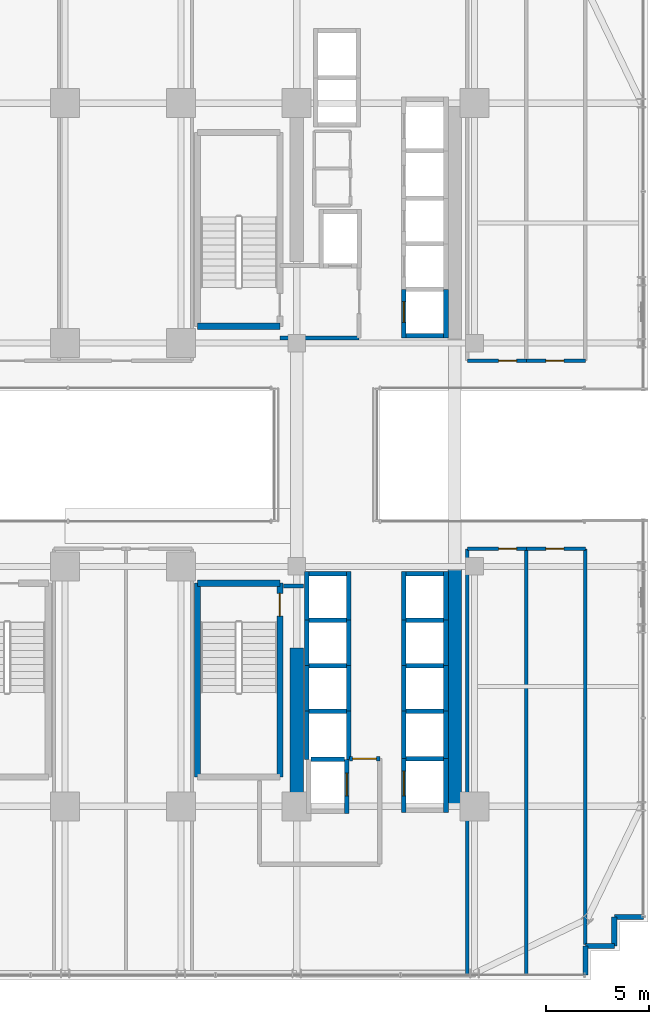
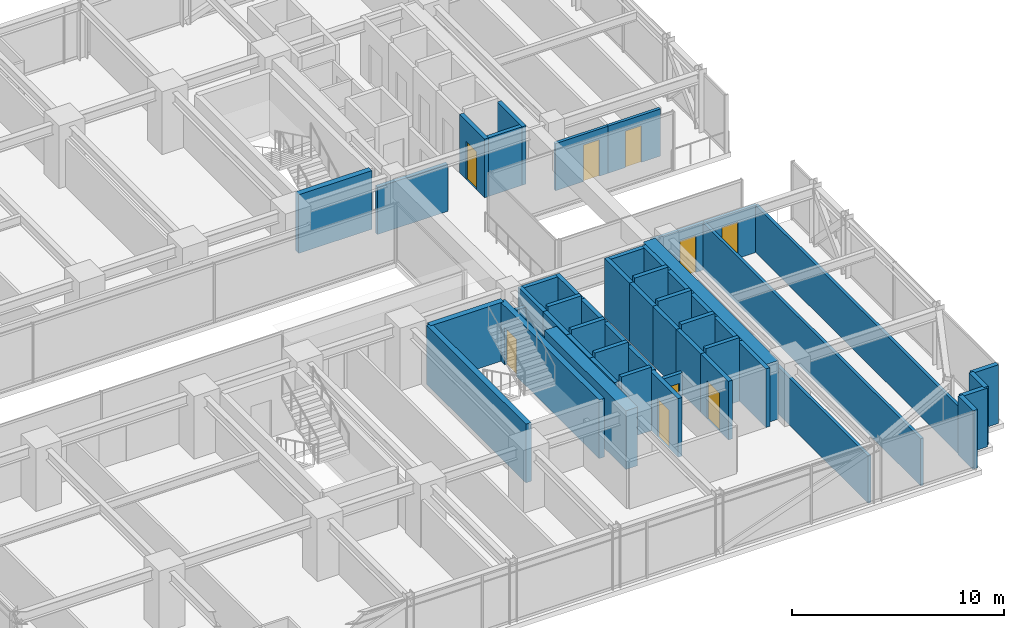
# One storey, part 36 of 42: 52 walls, 9 doors, 9 openings.
"""IFC4 building model written with IfcOpenShell, lengths in metres."""

import ifcopenshell
import ifcopenshell.guid

model = None  # the IFC model being written
_history = None  # IfcOwnerHistory: only IFC2X3 demands one
_inside = {}  # id of a spatial element -> (the spatial element, [elements in it])
_under = {}  # id of a project, library or spatial element -> (it, [spatial elements below it])
_declared = {}  # id of a project -> (the project, [libraries it declares])
_typed = {}  # id of a type object -> (the type object, [elements of that type])
_made_of = {}  # id of a material, layer set ... -> (it, [elements and type objects made of it])


def new_model(schema):
    """Start an empty IFC model of exactly this schema.

    Asked for "IFC4X3", IfcOpenShell would pick the latest addendum, in which some entities
    have other attributes; the version numbers below select the first issue.
    IFC2X3 requires an IfcOwnerHistory on every rooted entity: one is made here for all.
    """
    global model, _history
    if schema == "IFC4X3":
        model = ifcopenshell.file(schema_version=(4, 3, 0, 0))
    else:
        model = ifcopenshell.file(schema=schema)
    _inside.clear()
    _under.clear()
    _declared.clear()
    _typed.clear()
    _made_of.clear()
    _history = None
    if model.schema == "IFC2X3":
        org = make("IfcOrganization", Name="unknown")
        user = make(
            "IfcPersonAndOrganization",
            ThePerson=make("IfcPerson", FamilyName="unknown"),
            TheOrganization=org,
        )
        app = make(
            "IfcApplication",
            ApplicationDeveloper=org,
            Version="unknown",
            ApplicationFullName="unknown",
            ApplicationIdentifier="unknown",
        )
        _history = make(
            "IfcOwnerHistory",
            OwningUser=user,
            OwningApplication=app,
            ChangeAction="ADDED",
            CreationDate=0,
        )
    return model


def make(cls, **values):
    """One entity of the class cls with the attributes given. An attribute that is None is left unset."""
    return model.create_entity(
        cls, **{name: value for name, value in values.items() if value is not None}
    )


def rooted(cls, **values):
    """An entity with a GlobalId (a new one), such as an element, a storey or a relation."""
    return make(cls, GlobalId=ifcopenshell.guid.new(), OwnerHistory=_history, **values)


def si_unit(unit_type, name, prefix=None):
    """IfcSIUnit, for example si_unit("LENGTHUNIT", "METRE", prefix="MILLI")."""
    return make("IfcSIUnit", UnitType=unit_type, Prefix=prefix, Name=name)


def assignment(units):
    """IfcUnitAssignment: the units of a project."""
    return None if units is None else make("IfcUnitAssignment", Units=units)


def point(xyz):
    """IfcCartesianPoint."""
    return None if xyz is None else make("IfcCartesianPoint", Coordinates=xyz)


def direction(xyz):
    """IfcDirection."""
    return None if xyz is None else make("IfcDirection", DirectionRatios=xyz)


def frame(location, z_axis=None, x_axis=None):
    """IfcAxis2Placement3D, a coordinate frame: its origin and axes. An axis left out is left unset."""
    return make(
        "IfcAxis2Placement3D",
        Location=point(location),
        Axis=direction(z_axis),
        RefDirection=direction(x_axis),
    )


def frame_2d(location, x_axis=None):
    """IfcAxis2Placement2D, a coordinate frame in the plane: its origin and x axis."""
    return make(
        "IfcAxis2Placement2D", Location=point(location), RefDirection=direction(x_axis)
    )


def origin():
    """The frame at (0, 0, 0) with its axes left unset."""
    return frame((0.0, 0.0, 0.0))


def place(relative_to, where):
    """IfcLocalPlacement: puts the frame where relative to a parent placement (None: the world)."""
    return make(
        "IfcLocalPlacement", PlacementRelTo=relative_to, RelativePlacement=where
    )


def context(
    kind, dimensions, precision=None, world=None, true_north=None, identifier=None
):
    """IfcGeometricRepresentationContext, for example the 3D "Model" context."""
    return make(
        "IfcGeometricRepresentationContext",
        ContextIdentifier=identifier,
        ContextType=kind,
        CoordinateSpaceDimension=dimensions,
        Precision=precision,
        WorldCoordinateSystem=world,
        TrueNorth=true_north,
    )


def subcontext(parent, identifier, kind, view, scale=None):
    """IfcGeometricRepresentationSubContext, for example "Body" below "Model"."""
    return make(
        "IfcGeometricRepresentationSubContext",
        ContextIdentifier=identifier,
        ContextType=kind,
        ParentContext=parent,
        TargetScale=scale,
        TargetView=view,
    )


def project(units=None, contexts=None):
    """IfcProject with its units and contexts."""
    return rooted(
        "IfcProject",
        Name="project",
        RepresentationContexts=contexts,
        UnitsInContext=assignment(units),
    )


def spatial(cls, under=None, at=None, **own):
    """A site, building, storey or space (cls), placed at a placement, below another one or the project."""
    s = rooted(cls, ObjectPlacement=at, **own)
    if under is not None:
        _under.setdefault(under.id(), (under, []))[1].append(s)
    return s


def profile(cls, at=None, kind="AREA", **sizes):
    """A parametric profile (cls). Its sizes go by their IFC names, for example OverallWidth=200.0."""
    return make(cls, ProfileType=kind, Position=at, **sizes)


def rectangle(**sizes):
    """IfcRectangleProfileDef."""
    return profile("IfcRectangleProfileDef", **sizes)


def extrude(swept, where, along, depth):
    """IfcExtrudedAreaSolid: the profile swept, set in the frame where, extruded along a direction by depth."""
    return make(
        "IfcExtrudedAreaSolid",
        SweptArea=swept,
        Position=where,
        ExtrudedDirection=direction(along),
        Depth=depth,
    )


def shape(context_of_items, identifier, shape_type, items):
    """IfcShapeRepresentation: the items that make up one representation, for example the "Body"."""
    return make(
        "IfcShapeRepresentation",
        ContextOfItems=context_of_items,
        RepresentationIdentifier=identifier,
        RepresentationType=shape_type,
        Items=items,
    )


def source(mapping_origin, context_of_items, identifier, shape_type, items):
    """IfcRepresentationMap: a shape defined once, which mapped items show again and again."""
    return make(
        "IfcRepresentationMap",
        MappingOrigin=mapping_origin,
        MappedRepresentation=shape(context_of_items, identifier, shape_type, items),
    )


def transform(
    local_origin,
    x_axis=None,
    y_axis=None,
    z_axis=None,
    scale=None,
    scale2=None,
    scale3=None,
    uniform=True,
):
    """IfcCartesianTransformationOperator3D, or its non-uniform kind. x_axis, y_axis, z_axis: its Axis1, 2, 3."""
    if uniform:
        return make(
            "IfcCartesianTransformationOperator3D",
            Axis1=direction(x_axis),
            Axis2=direction(y_axis),
            LocalOrigin=point(local_origin),
            Scale=scale,
            Axis3=direction(z_axis),
        )
    return make(
        "IfcCartesianTransformationOperator3DnonUniform",
        Axis1=direction(x_axis),
        Axis2=direction(y_axis),
        LocalOrigin=point(local_origin),
        Scale=scale,
        Axis3=direction(z_axis),
        Scale2=scale2,
        Scale3=scale3,
    )


def mapped(mapping_source, mapping_target):
    """IfcMappedItem: shows the shape of a source again, moved by a transform."""
    return make(
        "IfcMappedItem", MappingSource=mapping_source, MappingTarget=mapping_target
    )


def material(Name=None, Category=None):
    """IfcMaterial."""
    return make("IfcMaterial", Name=Name, Category=Category)


def layer(
    of_material, thickness, ventilated=None, Name=None, Category=None, Priority=None
):
    """IfcMaterialLayer: one layer of a wall or slab, of a material (None: an air gap)."""
    return make(
        "IfcMaterialLayer",
        Material=of_material,
        LayerThickness=thickness,
        IsVentilated=ventilated,
        Name=Name,
        Category=Category,
        Priority=Priority,
    )


def layer_set(layers, Name=None):
    """IfcMaterialLayerSet."""
    return make("IfcMaterialLayerSet", MaterialLayers=layers, LayerSetName=Name)


def made_of(thing, what):
    """Note that an element or type object is made of a material, layer set ...; save() writes the relation."""
    if what is not None:
        _made_of.setdefault(what.id(), (what, []))[1].append(thing)
    return thing


def type_object(cls, material=None, **own):
    """A type object (cls), such as IfcWallType, which elements share."""
    return made_of(rooted(cls, **own), material)


def element(
    cls,
    number,
    at=None,
    inside=None,
    cuts=None,
    type_object=None,
    material=None,
    context=None,
    identifier="Body",
    shape_type=None,
    held_by="IfcProductDefinitionShape",
    body=None,
    shapes=None,
    **own,
):
    """One element of the class cls, such as IfcWall. Its Tag is "e" and its number.

    at: its placement. inside: the storey or other place that contains it. cuts: it is an
    opening in that element (IfcRelVoidsElement). A single representation is given by context,
    identifier, shape_type and body (its items); several are given by shapes. held_by: the class
    of the entity that holds the representations. save() writes the other relations.
    """
    e = rooted(cls, Tag="e%d" % number, ObjectPlacement=at, **own)
    if body is not None:
        shapes = [shape(context, identifier, shape_type, body)]
    if shapes is not None:
        e.Representation = make(held_by, Representations=shapes)
    if inside is not None:
        _inside.setdefault(inside.id(), (inside, []))[1].append(e)
    if cuts is not None:
        rooted(
            "IfcRelVoidsElement", RelatingBuildingElement=cuts, RelatedOpeningElement=e
        )
    if type_object is not None:
        _typed.setdefault(type_object.id(), (type_object, []))[1].append(e)
    return made_of(e, material)


def fill(opening, filler):
    """IfcRelFillsElement: the door or window that sits in an opening."""
    return rooted(
        "IfcRelFillsElement",
        RelatingOpeningElement=opening,
        RelatedBuildingElement=filler,
    )


def aggregate(whole, parts):
    """IfcRelAggregates: a whole, such as a stair, and the parts it consists of."""
    return rooted("IfcRelAggregates", RelatingObject=whole, RelatedObjects=parts)


def save(model, path):
    """Write the relations noted so far, then the file.

    IfcRelAggregates (storeys below a building ...), IfcRelContainedInSpatialStructure (elements
    in a storey), IfcRelDefinesByType, IfcRelAssociatesMaterial and IfcRelDeclares: one each for
    every whole, place, type object, material and project.
    """
    for whole, parts in _under.values():
        aggregate(whole, parts)
    for where, things in _inside.values():
        rooted(
            "IfcRelContainedInSpatialStructure",
            RelatedElements=things,
            RelatingStructure=where,
        )
    for kind, things in _typed.values():
        rooted("IfcRelDefinesByType", RelatedObjects=things, RelatingType=kind)
    for what, things in _made_of.values():
        rooted("IfcRelAssociatesMaterial", RelatedObjects=things, RelatingMaterial=what)
    for by, libraries in _declared.values():
        rooted("IfcRelDeclares", RelatingContext=by, RelatedDefinitions=libraries)
    model.write(path)


model = new_model("IFC4")

# Units and contexts
model_context = context("Model", 3, precision=1e-05, world=origin(), true_north=direction((0.0, 1.0)))
body_context = subcontext(model_context, "Body", "Model", "MODEL_VIEW")
ifc_project = project(units=[si_unit("LENGTHUNIT", "METRE"), si_unit("AREAUNIT", "SQUARE_METRE"), si_unit("VOLUMEUNIT", "CUBIC_METRE"), si_unit("PLANEANGLEUNIT", "RADIAN"), si_unit("MASSUNIT", "GRAM", prefix="KILO")], contexts=[model_context])

# Site, building, storey
site_placement = place(None, origin())
site = spatial("IfcSite", under=ifc_project, at=site_placement, CompositionType="ELEMENT")
building_placement = place(site_placement, origin())
building = spatial("IfcBuilding", under=site, at=building_placement, Name="Nahalor Promenade Grand Hotel", CompositionType="ELEMENT")
storey_placement = place(building_placement, frame((0.0, 0.0, 61.60009765625)))
storey = spatial("IfcBuildingStorey", under=building, at=storey_placement, Name="L14", CompositionType="ELEMENT", Elevation=61.60009765625)

# Walls
ifc_material_1 = material(Name="Concrete B-60 (C50/60)", Category="concrete")
ifc_layer_1 = layer(ifc_material_1, 0.64990234375)
ifc_layer_set_1 = layer_set([ifc_layer_1], Name="Concrete B-60 (C50/60)")
wall_type_1 = type_object("IfcWallType", Name="Wall-CoreShear-650", PredefinedType="SHEAR", material=ifc_layer_set_1)
shared_shape_1 = source(origin(), body_context, "Body", "SweptSolid", [
    extrude(rectangle(XDim=7.64990234375, YDim=0.64990234375, at=frame_2d((3.824951171875, 0.0))), origin(), (0.0, 0.0, 1.0), 3.369873046875),
])
wall_1_placement = place(storey_placement, frame((8.39990234375, -17.0, 0.0), z_axis=(0.0, 0.0, 1.0), x_axis=(0.0, 1.0, 0.0)))
element("IfcWall", 1, at=wall_1_placement, inside=storey, type_object=wall_type_1, Name="CWALL-L14-SW", PredefinedType="SHEAR", context=body_context, shape_type="MappedRepresentation", body=[
    mapped(shared_shape_1, transform((0.0, 0.0, 0.0), scale=1.0)),
])
shared_shape_2 = source(origin(), body_context, "Body", "SweptSolid", [
    extrude(rectangle(XDim=11.60009765625, YDim=0.64990234375, at=frame_2d((5.800048828125, 0.0))), origin(), (0.0, 0.0, 1.0), 3.369873046875),
])
wall_2_placement = place(storey_placement, frame((16.050048828125, -17.0, 0.0), z_axis=(0.0, 0.0, 1.0), x_axis=(0.0, 1.0, 0.0)))
element("IfcWall", 2, at=wall_2_placement, inside=storey, type_object=wall_type_1, Name="CWALL-L14-SE", PredefinedType="SHEAR", context=body_context, shape_type="MappedRepresentation", body=[
    mapped(shared_shape_2, transform((0.0, 0.0, 0.0), scale=1.0)),
])
ifc_material_2 = material(Name="Concrete B-50 (C40/50)", Category="concrete")
ifc_layer_2 = layer(ifc_material_2, 0.300048828125)
ifc_layer_set_2 = layer_set([ifc_layer_2], Name="Concrete B-50 (C40/50)")
wall_type_2 = type_object("IfcWallType", Name="Wall-ShaftShear-300", PredefinedType="SHEAR", material=ifc_layer_set_2)
shared_shape_3 = source(origin(), body_context, "Body", "SweptSolid", [
    extrude(rectangle(XDim=3.97998046875, YDim=0.300048828125, at=frame_2d((1.989990234375, 0.0))), origin(), (0.0, 0.0, 1.0), 3.369873046875),
])
for number, where, z_axis, x_axis, name in (
    (3, (3.610107421875, 6.2099609375, 0.0), (0.0, 0.0, 1.0), (1.0, 0.0, 0.0), "L14 Exit Stair ST1 Shaft Wall S"),
    (4, (3.610107421875, -6.2099609375, 0.0), (0.0, 0.0, 1.0), (1.0, 0.0, 0.0), "L14 Exit Stair ST2 Shaft Wall N"),
):
    element("IfcWall", number, at=place(storey_placement, frame(where, z_axis=z_axis, x_axis=x_axis)), inside=storey, type_object=wall_type_2, Name=name, PredefinedType="SHEAR", context=body_context, shape_type="MappedRepresentation", body=[
        mapped(shared_shape_3, transform((0.0, 0.0, 0.0), scale=1.0)),
    ])
shared_shape_4 = source(origin(), body_context, "Body", "SweptSolid", [
    extrude(rectangle(XDim=9.380126953125, YDim=0.300048828125, at=frame_2d((4.68994140625, 0.0))), origin(), (0.0, 0.0, 1.0), 3.369873046875),
])
wall_3_placement = place(storey_placement, frame((3.610107421875, -15.590087890625, 0.0), z_axis=(0.0, 0.0, 1.0), x_axis=(0.0, 1.0, 0.0)))
element("IfcWall", 5, at=wall_3_placement, inside=storey, type_object=wall_type_2, Name="L14 Exit Stair ST2 Shaft Wall W", PredefinedType="SHEAR", context=body_context, shape_type="MappedRepresentation", body=[
    mapped(shared_shape_4, transform((0.0, 0.0, 0.0), scale=1.0)),
])

# Wall, opening, door
wall_4_placement = place(storey_placement, frame((7.590087890625, -15.590087890625, 0.0), z_axis=(0.0, 0.0, 1.0), x_axis=(0.0, 1.0, 0.0)))
wall_4 = element("IfcWall", 6, at=wall_4_placement, inside=storey, type_object=wall_type_2, Name="L14 Exit Stair ST2 Shaft Wall E", PredefinedType="SHEAR", context=body_context, shape_type="MappedRepresentation", body=[
    mapped(shared_shape_4, transform((0.0, 0.0, 0.0), scale=1.0)),
])
opening_1_placement = place(wall_4_placement, frame((7.7900390625, 0.0, 0.0)))
opening_1 = element("IfcOpeningElement", 7, at=opening_1_placement, cuts=wall_4, Name="Opening D-ST1", PredefinedType="OPENING", context=body_context, shape_type="SweptSolid", body=[
    extrude(rectangle(XDim=1.10009765625, YDim=2.14990234375, at=frame_2d((0.550048828125, 1.074951171875))), frame((0.0, 0.159912109375, 0.0), z_axis=(0.0, -1.0, 0.0), x_axis=(1.0, 0.0, 0.0)), (0.0, 0.0, 1.0), 0.320068359375),
])
ifc_material_3 = material(Name="Steel S355JR", Category="steel")
door_type_1 = type_object("IfcDoorType", Name="Door-StairFire-1100", OperationType="NOTDEFINED", PredefinedType="DOOR", material=ifc_material_3)
shared_shape_5 = source(origin(), body_context, "Body", "SweptSolid", [
    extrude(rectangle(XDim=1.10009765625, YDim=2.14990234375, at=frame_2d((0.550048828125, 1.074951171875))), frame((0.0, 0.02490234375, 0.0), z_axis=(0.0, -1.0, 0.0), x_axis=(1.0, 0.0, 0.0)), (0.0, 0.0, 1.0), 0.050048828125),
])
door_1_placement = place(opening_1_placement, origin())
door_1 = element("IfcDoor", 8, at=door_1_placement, inside=storey, type_object=door_type_1, Name="DR-STAIR-ST2-L14", OperationType="SINGLE_SWING_LEFT", OverallHeight=2.14990234375, OverallWidth=1.10009765625, PredefinedType="DOOR", context=body_context, shape_type="MappedRepresentation", body=[
    mapped(shared_shape_5, transform((0.0, 0.0, 0.0), scale=1.0)),
])
fill(opening_1, door_1)

ifc_layer_3 = layer(ifc_material_2, 0.219970703125)
ifc_layer_set_3 = layer_set([ifc_layer_3], Name="Concrete B-50 (C40/50)")
wall_type_3 = type_object("IfcWallType", Name="Wall-LiftShaft-220", PredefinedType="SHEAR", material=ifc_layer_set_3)
shared_shape_6 = source(origin(), body_context, "Body", "SweptSolid", [
    extrude(rectangle(XDim=2.360107421875, YDim=0.219970703125, at=frame_2d((1.18017578125, 0.0))), origin(), (0.0, 0.0, 1.0), 3.369873046875),
])
wall_5_placement = place(storey_placement, frame((13.580078125, 5.639892578125, 0.0), z_axis=(0.0, 0.0, 1.0), x_axis=(0.0, 1.0, 0.0)))
wall_5 = element("IfcWall", 9, at=wall_5_placement, inside=storey, type_object=wall_type_3, Name="L14 Lift PL1 Hoistway Wall W", PredefinedType="SHEAR", context=body_context, shape_type="MappedRepresentation", body=[
    mapped(shared_shape_6, transform((0.0, 0.0, 0.0), scale=1.0)),
])
opening_2_placement = place(wall_5_placement, frame((0.760009765625, 0.0, 0.0)))
opening_2 = element("IfcOpeningElement", 10, at=opening_2_placement, cuts=wall_5, Name="Opening LD-01", PredefinedType="OPENING", context=body_context, shape_type="SweptSolid", body=[
    extrude(rectangle(XDim=1.0, YDim=2.199951171875, at=frame_2d((0.5, 1.10009765625))), frame((0.0, 0.119873046875, 0.0), z_axis=(0.0, -1.0, 0.0), x_axis=(1.0, 0.0, 0.0)), (0.0, 0.0, 1.0), 0.239990234375),
])
door_type_2 = type_object("IfcDoorType", Name="Door-LiftLanding-1000", OperationType="DOUBLE_DOOR_SLIDING", PredefinedType="DOOR", material=ifc_material_3)
shared_shape_7 = source(origin(), body_context, "Body", "SweptSolid", [
    extrude(rectangle(XDim=1.0, YDim=2.199951171875, at=frame_2d((0.5, 1.10009765625))), frame((0.0, 0.02490234375, 0.0), z_axis=(0.0, -1.0, 0.0), x_axis=(1.0, 0.0, 0.0)), (0.0, 0.0, 1.0), 0.050048828125),
])
door_2_placement = place(opening_2_placement, origin())
door_2 = element("IfcDoor", 11, at=door_2_placement, inside=storey, type_object=door_type_2, Name="DR-LIFT-PL1-L14", OperationType="DOUBLE_DOOR_SLIDING", OverallHeight=2.199951171875, OverallWidth=1.0, PredefinedType="DOOR", context=body_context, shape_type="MappedRepresentation", body=[
    mapped(shared_shape_7, transform((0.0, 0.0, 0.0), scale=1.0)),
])
fill(opening_2, door_2)

# Walls
for number, where, z_axis, x_axis, name in (
    (12, (15.6201171875, 5.639892578125, 0.0), (0.0, 0.0, 1.0), (0.0, 1.0, 0.0), "L14 Lift PL1 Hoistway Wall E"),
    (13, (13.580078125, -8.0, 0.0), (0.0, 0.0, 1.0), (0.0, 1.0, 0.0), "L14 Lift PL5 Hoistway Wall W"),
    (14, (15.6201171875, -8.0, 0.0), (0.0, 0.0, 1.0), (0.0, 1.0, 0.0), "L14 Lift PL5 Hoistway Wall E"),
    (15, (8.8798828125, -8.0, 0.0), (0.0, 0.0, 1.0), (0.0, 1.0, 0.0), "L14 Lift PL9 Hoistway Wall W"),
    (16, (10.919921875, -8.0, 0.0), (0.0, 0.0, 1.0), (0.0, 1.0, 0.0), "L14 Lift PL9 Hoistway Wall E"),
):
    element("IfcWall", number, at=place(storey_placement, frame(where, z_axis=z_axis, x_axis=x_axis)), inside=storey, type_object=wall_type_3, Name=name, PredefinedType="SHEAR", context=body_context, shape_type="MappedRepresentation", body=[
        mapped(shared_shape_6, transform((0.0, 0.0, 0.0), scale=1.0)),
    ])
shared_shape_8 = source(origin(), body_context, "Body", "SweptSolid", [
    extrude(rectangle(XDim=1.820068359375, YDim=0.219970703125, at=frame_2d((0.91015625, 0.0))), origin(), (0.0, 0.0, 1.0), 3.369873046875),
])
for number, where, z_axis, x_axis, name in (
    (17, (13.68994140625, 5.75, 0.0), (0.0, 0.0, 1.0), (1.0, 0.0, 0.0), "L14 Lift PL1 Hoistway Wall S"),
    (18, (13.68994140625, -5.75, 0.0), (0.0, 0.0, 1.0), (1.0, 0.0, 0.0), "L14 Lift PL5 Hoistway Wall N"),
    (19, (8.989990234375, -5.75, 0.0), (0.0, 0.0, 1.0), (1.0, 0.0, 0.0), "L14 Lift PL9 Hoistway Wall N"),
):
    element("IfcWall", number, at=place(storey_placement, frame(where, z_axis=z_axis, x_axis=x_axis)), inside=storey, type_object=wall_type_3, Name=name, PredefinedType="SHEAR", context=body_context, shape_type="MappedRepresentation", body=[
        mapped(shared_shape_8, transform((0.0, 0.0, 0.0), scale=1.0)),
    ])
shared_shape_9 = source(origin(), body_context, "Body", "SweptSolid", [
    extrude(rectangle(XDim=1.820068359375, YDim=0.219970703125, at=frame_2d((0.91015625, 0.0))), origin(), (0.0, 0.0, 1.0), 3.64990234375),
])
for number, where, z_axis, x_axis, name in (
    (20, (13.68994140625, -8.0, 0.0), (0.0, 0.0, 1.0), (1.0, 0.0, 0.0), "L14 Lift PL6 Hoistway Wall N"),
    (21, (13.68994140625, -10.199951171875, 0.0), (0.0, 0.0, 1.0), (1.0, 0.0, 0.0), "L14 Lift PL7 Hoistway Wall N"),
    (22, (13.68994140625, -12.39990234375, 0.0), (0.0, 0.0, 1.0), (1.0, 0.0, 0.0), "L14 Lift PL8 Hoistway Wall N"),
    (23, (8.989990234375, -8.0, 0.0), (0.0, 0.0, 1.0), (1.0, 0.0, 0.0), "L14 Lift PL10 Hoistway Wall N"),
    (24, (8.989990234375, -10.199951171875, 0.0), (0.0, 0.0, 1.0), (1.0, 0.0, 0.0), "L14 Lift PL11 Hoistway Wall N"),
    (25, (8.989990234375, -12.39990234375, 0.0), (0.0, 0.0, 1.0), (1.0, 0.0, 0.0), "L14 Lift PL12 Hoistway Wall N"),
    (26, (13.68994140625, -14.699951171875, 0.0), (0.0, 0.0, 1.0), (1.0, 0.0, 0.0), "L14 Lift SV2 Hoistway Wall N"),
):
    element("IfcWall", number, at=place(storey_placement, frame(where, z_axis=z_axis, x_axis=x_axis)), inside=storey, type_object=wall_type_3, Name=name, PredefinedType="SHEAR", context=body_context, shape_type="MappedRepresentation", body=[
        mapped(shared_shape_9, transform((0.0, 0.0, 0.0), scale=1.0)),
    ])
shared_shape_10 = source(origin(), body_context, "Body", "SweptSolid", [
    extrude(rectangle(XDim=2.199951171875, YDim=0.219970703125, at=frame_2d((1.10009765625, 0.0))), origin(), (0.0, 0.0, 1.0), 3.369873046875),
])
for number, where, z_axis, x_axis, name in (
    (27, (13.580078125, -10.199951171875, 0.0), (0.0, 0.0, 1.0), (0.0, 1.0, 0.0), "L14 Lift PL6 Hoistway Wall W"),
    (28, (15.6201171875, -10.199951171875, 0.0), (0.0, 0.0, 1.0), (0.0, 1.0, 0.0), "L14 Lift PL6 Hoistway Wall E"),
    (29, (13.580078125, -12.39990234375, 0.0), (0.0, 0.0, 1.0), (0.0, 1.0, 0.0), "L14 Lift PL7 Hoistway Wall W"),
    (30, (15.6201171875, -12.39990234375, 0.0), (0.0, 0.0, 1.0), (0.0, 1.0, 0.0), "L14 Lift PL7 Hoistway Wall E"),
    (31, (8.8798828125, -10.199951171875, 0.0), (0.0, 0.0, 1.0), (0.0, 1.0, 0.0), "L14 Lift PL10 Hoistway Wall W"),
    (32, (10.919921875, -10.199951171875, 0.0), (0.0, 0.0, 1.0), (0.0, 1.0, 0.0), "L14 Lift PL10 Hoistway Wall E"),
    (33, (8.8798828125, -12.39990234375, 0.0), (0.0, 0.0, 1.0), (0.0, 1.0, 0.0), "L14 Lift PL11 Hoistway Wall W"),
    (34, (10.919921875, -12.39990234375, 0.0), (0.0, 0.0, 1.0), (0.0, 1.0, 0.0), "L14 Lift PL11 Hoistway Wall E"),
):
    element("IfcWall", number, at=place(storey_placement, frame(where, z_axis=z_axis, x_axis=x_axis)), inside=storey, type_object=wall_type_3, Name=name, PredefinedType="SHEAR", context=body_context, shape_type="MappedRepresentation", body=[
        mapped(shared_shape_10, transform((0.0, 0.0, 0.0), scale=1.0)),
    ])
shared_shape_11 = source(origin(), body_context, "Body", "SweptSolid", [
    extrude(rectangle(XDim=2.300048828125, YDim=0.219970703125, at=frame_2d((1.14990234375, 0.0))), origin(), (0.0, 0.0, 1.0), 3.369873046875),
])
for number, where, z_axis, x_axis, name in (
    (35, (13.580078125, -14.699951171875, 0.0), (0.0, 0.0, 1.0), (0.0, 1.0, 0.0), "L14 Lift PL8 Hoistway Wall W"),
    (36, (15.6201171875, -14.699951171875, 0.0), (0.0, 0.0, 1.0), (0.0, 1.0, 0.0), "L14 Lift PL8 Hoistway Wall E"),
):
    element("IfcWall", number, at=place(storey_placement, frame(where, z_axis=z_axis, x_axis=x_axis)), inside=storey, type_object=wall_type_3, Name=name, PredefinedType="SHEAR", context=body_context, shape_type="MappedRepresentation", body=[
        mapped(shared_shape_11, transform((0.0, 0.0, 0.0), scale=1.0)),
    ])
shared_shape_12 = source(origin(), body_context, "Body", "SweptSolid", [
    extrude(rectangle(XDim=2.3251953125, YDim=0.219970703125, at=frame_2d((1.16259765625, 0.0))), origin(), (0.0, 0.0, 1.0), 3.369873046875),
])
for number, where, z_axis, x_axis, name in (
    (37, (8.8798828125, -14.72509765625, 0.0), (0.0, 0.0, 1.0), (0.0, 1.0, 0.0), "L14 Lift PL12 Hoistway Wall W"),
    (38, (10.919921875, -14.72509765625, 0.0), (0.0, 0.0, 1.0), (0.0, 1.0, 0.0), "L14 Lift PL12 Hoistway Wall E"),
):
    element("IfcWall", number, at=place(storey_placement, frame(where, z_axis=z_axis, x_axis=x_axis)), inside=storey, type_object=wall_type_3, Name=name, PredefinedType="SHEAR", context=body_context, shape_type="MappedRepresentation", body=[
        mapped(shared_shape_12, transform((0.0, 0.0, 0.0), scale=1.0)),
    ])

# Wall, opening, door
shared_shape_13 = source(origin(), body_context, "Body", "SweptSolid", [
    extrude(rectangle(XDim=2.635009765625, YDim=0.219970703125, at=frame_2d((1.3173828125, 0.0))), origin(), (0.0, 0.0, 1.0), 3.369873046875),
])
wall_6_placement = place(storey_placement, frame((10.820068359375, -17.360107421875, 0.0), z_axis=(0.0, 0.0, 1.0), x_axis=(0.0, 1.0, 0.0)))
wall_6 = element("IfcWall", 39, at=wall_6_placement, inside=storey, type_object=wall_type_3, Name="L14 Lift FL2 Hoistway Wall E", PredefinedType="SHEAR", context=body_context, shape_type="MappedRepresentation", body=[
    mapped(shared_shape_13, transform((0.0, 0.0, 0.0), scale=1.0)),
])
opening_3_placement = place(wall_6_placement, frame((0.860107421875, 0.0, 0.0)))
opening_3 = element("IfcOpeningElement", 40, at=opening_3_placement, cuts=wall_6, Name="Opening LD-02", PredefinedType="OPENING", context=body_context, shape_type="SweptSolid", body=[
    extrude(rectangle(XDim=1.10009765625, YDim=2.199951171875, at=frame_2d((0.550048828125, 1.10009765625))), frame((0.0, 0.119873046875, 0.0), z_axis=(0.0, -1.0, 0.0), x_axis=(1.0, 0.0, 0.0)), (0.0, 0.0, 1.0), 0.239990234375),
])
door_type_3 = type_object("IfcDoorType", Name="Door-LiftFF-1100", OperationType="DOUBLE_DOOR_SLIDING", PredefinedType="DOOR", material=ifc_material_3)
shared_shape_14 = source(origin(), body_context, "Body", "SweptSolid", [
    extrude(rectangle(XDim=1.10009765625, YDim=2.199951171875, at=frame_2d((0.550048828125, 1.10009765625))), frame((0.0, 0.02490234375, 0.0), z_axis=(0.0, -1.0, 0.0), x_axis=(1.0, 0.0, 0.0)), (0.0, 0.0, 1.0), 0.050048828125),
])
door_3_placement = place(opening_3_placement, frame((1.10009765625, 0.0, 0.0), z_axis=(0.0, 0.0, 1.0), x_axis=(-1.0, 0.0, 0.0)))
door_3 = element("IfcDoor", 41, at=door_3_placement, inside=storey, type_object=door_type_3, Name="DR-LIFT-FL2-L14", OperationType="DOUBLE_DOOR_SLIDING", OverallHeight=2.199951171875, OverallWidth=1.10009765625, PredefinedType="DOOR", context=body_context, shape_type="MappedRepresentation", body=[
    mapped(shared_shape_14, transform((0.0, 0.0, 0.0), scale=1.0)),
])
fill(opening_3, door_3)

# Wall
shared_shape_15 = source(origin(), body_context, "Body", "SweptSolid", [
    extrude(rectangle(XDim=1.619873046875, YDim=0.219970703125, at=frame_2d((0.81005859375, 0.0))), origin(), (0.0, 0.0, 1.0), 3.64990234375),
])
wall_7_placement = place(storey_placement, frame((9.090087890625, -14.72509765625, 0.0), z_axis=(0.0, 0.0, 1.0), x_axis=(1.0, 0.0, 0.0)))
element("IfcWall", 42, at=wall_7_placement, inside=storey, type_object=wall_type_3, Name="L14 Lift FL2 Hoistway Wall N", PredefinedType="SHEAR", context=body_context, shape_type="MappedRepresentation", body=[
    mapped(shared_shape_15, transform((0.0, 0.0, 0.0), scale=1.0)),
])

# Wall, opening, door
shared_shape_16 = source(origin(), body_context, "Body", "SweptSolid", [
    extrude(rectangle(XDim=2.610107421875, YDim=0.219970703125, at=frame_2d((1.30517578125, 0.0))), origin(), (0.0, 0.0, 1.0), 3.369873046875),
])
wall_8_placement = place(storey_placement, frame((13.580078125, -17.31005859375, 0.0), z_axis=(0.0, 0.0, 1.0), x_axis=(0.0, 1.0, 0.0)))
wall_8 = element("IfcWall", 43, at=wall_8_placement, inside=storey, type_object=wall_type_3, Name="L14 Lift SV2 Hoistway Wall W", PredefinedType="SHEAR", context=body_context, shape_type="MappedRepresentation", body=[
    mapped(shared_shape_16, transform((0.0, 0.0, 0.0), scale=1.0)),
])
opening_4_placement = place(wall_8_placement, frame((0.81005859375, 0.0, 0.0)))
opening_4 = element("IfcOpeningElement", 44, at=opening_4_placement, cuts=wall_8, Name="Opening LD-03", PredefinedType="OPENING", context=body_context, shape_type="SweptSolid", body=[
    extrude(rectangle(XDim=1.199951171875, YDim=2.199951171875, at=frame_2d((0.60009765625, 1.10009765625))), frame((0.0, 0.119873046875, 0.0), z_axis=(0.0, -1.0, 0.0), x_axis=(1.0, 0.0, 0.0)), (0.0, 0.0, 1.0), 0.239990234375),
])
door_type_4 = type_object("IfcDoorType", Name="Door-LiftService-1200", OperationType="DOUBLE_DOOR_SLIDING", PredefinedType="DOOR", material=ifc_material_3)
shared_shape_17 = source(origin(), body_context, "Body", "SweptSolid", [
    extrude(rectangle(XDim=1.199951171875, YDim=2.199951171875, at=frame_2d((0.60009765625, 1.10009765625))), frame((0.0, 0.02490234375, 0.0), z_axis=(0.0, -1.0, 0.0), x_axis=(1.0, 0.0, 0.0)), (0.0, 0.0, 1.0), 0.050048828125),
])
door_4_placement = place(opening_4_placement, origin())
door_4 = element("IfcDoor", 45, at=door_4_placement, inside=storey, type_object=door_type_4, Name="DR-LIFT-SV2-L14", OperationType="DOUBLE_DOOR_SLIDING", OverallHeight=2.199951171875, OverallWidth=1.199951171875, PredefinedType="DOOR", context=body_context, shape_type="MappedRepresentation", body=[
    mapped(shared_shape_17, transform((0.0, 0.0, 0.0), scale=1.0)),
])
fill(opening_4, door_4)

# Walls
wall_9_placement = place(storey_placement, frame((15.6201171875, -17.31005859375, 0.0), z_axis=(0.0, 0.0, 1.0), x_axis=(0.0, 1.0, 0.0)))
element("IfcWall", 46, at=wall_9_placement, inside=storey, type_object=wall_type_3, Name="L14 Lift SV2 Hoistway Wall E", PredefinedType="SHEAR", context=body_context, shape_type="MappedRepresentation", body=[
    mapped(shared_shape_16, transform((0.0, 0.0, 0.0), scale=1.0)),
])
ifc_material_4 = material(Name="Concrete B-40 (C32/40)", Category="concrete")
ifc_layer_4 = layer(ifc_material_4, 0.25)
ifc_layer_set_4 = layer_set([ifc_layer_4], Name="Concrete B-40 (C32/40)")
wall_type_4 = type_object("IfcWallType", Name="Wall-BronzePier-250", PredefinedType="STANDARD", material=ifc_layer_set_4)
shared_shape_18 = source(origin(), body_context, "Body", "SweptSolid", [
    extrude(rectangle(XDim=1.39990234375, YDim=0.25, at=frame_2d((0.699951171875, 0.0))), origin(), (0.0, 0.0, 1.0), 3.369873046875),
])
for number, where, z_axis, x_axis, name in (
    (47, (22.360107421875, -25.159912109375, 0.0), (0.0, 0.0, 1.0), (0.0, 1.0, 0.0), "W-L14-SR-01"),
    (48, (22.360107421875, -23.760009765625, 0.0), (0.0, 0.0, 1.0), (1.0, 0.0, 0.0), "W-L14-SR-02"),
    (49, (23.760009765625, -23.760009765625, 0.0), (0.0, 0.0, 1.0), (0.0, 1.0, 0.0), "W-L14-SR-03"),
    (50, (23.760009765625, -22.360107421875, 0.0), (0.0, 0.0, 1.0), (1.0, 0.0, 0.0), "W-L14-SR-04"),
):
    element("IfcWall", number, at=place(storey_placement, frame(where, z_axis=z_axis, x_axis=x_axis)), inside=storey, type_object=wall_type_4, Name=name, PredefinedType="STANDARD", context=body_context, shape_type="MappedRepresentation", body=[
        mapped(shared_shape_18, transform((0.0, 0.0, 0.0), scale=1.0)),
    ])
ifc_layer_5 = layer(ifc_material_4, 0.199951171875)
ifc_layer_set_5 = layer_set([ifc_layer_5], Name="Concrete B-40 (C32/40)")
wall_type_5 = type_object("IfcWallType", Name="Wall-PartFire-200", PredefinedType="PARTITIONING", material=ifc_layer_set_5)
shared_shape_19 = source(origin(), body_context, "Body", "SweptSolid", [
    extrude(rectangle(XDim=3.81982421875, YDim=0.199951171875, at=frame_2d((1.909912109375, 0.0))), origin(), (0.0, 0.0, 1.0), 2.7099609375),
])
wall_10_placement = place(storey_placement, frame((7.60009765625, 5.64990234375, 0.0), z_axis=(0.0, 0.0, 1.0), x_axis=(1.0, 0.0, 0.0)))
element("IfcWall", 51, at=wall_10_placement, inside=storey, type_object=wall_type_5, Name="W-L14-FF1-S", PredefinedType="PARTITIONING", context=body_context, shape_type="MappedRepresentation", body=[
    mapped(shared_shape_19, transform((0.0, 0.0, 0.0), scale=1.0)),
])

# Wall, opening, door
shared_shape_20 = source(origin(), body_context, "Body", "SweptSolid", [
    extrude(rectangle(XDim=1.4599609375, YDim=0.199951171875, at=frame_2d((0.72998046875, 0.0))), origin(), (0.0, 0.0, 1.0), 2.7099609375),
])
wall_11_placement = place(storey_placement, frame((10.9599609375, -14.699951171875, 0.0), z_axis=(0.0, 0.0, 1.0), x_axis=(1.0, 0.0, 0.0)))
wall_11 = element("IfcWall", 52, at=wall_11_placement, inside=storey, type_object=wall_type_5, Name="W-L14-FF2-N1", PredefinedType="PARTITIONING", context=body_context, shape_type="MappedRepresentation", body=[
    mapped(shared_shape_20, transform((0.0, 0.0, 0.0), scale=1.0)),
])
opening_5_placement = place(wall_11_placement, frame((0.14501953125, 0.0, 0.0)))
opening_5 = element("IfcOpeningElement", 53, at=opening_5_placement, cuts=wall_11, Name="Opening D-FF1", PredefinedType="OPENING", context=body_context, shape_type="SweptSolid", body=[
    extrude(rectangle(XDim=1.14990234375, YDim=2.14990234375, at=frame_2d((0.574951171875, 1.074951171875))), frame((0.0, 0.10986328125, 0.0), z_axis=(0.0, -1.0, 0.0), x_axis=(1.0, 0.0, 0.0)), (0.0, 0.0, 1.0), 0.219970703125),
])
door_type_5 = type_object("IfcDoorType", Name="Door-FFLobby-1150", OperationType="NOTDEFINED", PredefinedType="DOOR", material=ifc_material_3)
shared_shape_21 = source(origin(), body_context, "Body", "SweptSolid", [
    extrude(rectangle(XDim=1.14990234375, YDim=2.14990234375, at=frame_2d((0.574951171875, 1.074951171875))), frame((0.0, 0.02490234375, 0.0), z_axis=(0.0, -1.0, 0.0), x_axis=(1.0, 0.0, 0.0)), (0.0, 0.0, 1.0), 0.050048828125),
])
door_5_placement = place(opening_5_placement, origin())
door_5 = element("IfcDoor", 54, at=door_5_placement, inside=storey, type_object=door_type_5, Name="DR-L14-FFL2", OperationType="SINGLE_SWING_LEFT", OverallHeight=2.14990234375, OverallWidth=1.14990234375, PredefinedType="DOOR", context=body_context, shape_type="MappedRepresentation", body=[
    mapped(shared_shape_21, transform((0.0, 0.0, 0.0), scale=1.0)),
])
fill(opening_5, door_5)

# Walls
shared_shape_22 = source(origin(), body_context, "Body", "SweptSolid", [
    extrude(rectangle(XDim=0.969970703125, YDim=0.199951171875, at=frame_2d((0.48486328125, 0.0))), origin(), (0.0, 0.0, 1.0), 2.7099609375),
])
wall_12_placement = place(storey_placement, frame((7.77001953125, -6.35009765625, 0.0), z_axis=(0.0, 0.0, 1.0), x_axis=(1.0, 0.0, 0.0)))
element("IfcWall", 55, at=wall_12_placement, inside=storey, type_object=wall_type_5, Name="W-L14-FF2-N2", PredefinedType="PARTITIONING", context=body_context, shape_type="MappedRepresentation", body=[
    mapped(shared_shape_22, transform((0.0, 0.0, 0.0), scale=1.0)),
])
ifc_material_5 = material(Name="Acoustic Mineral Gypsum", Category="gypsum")
ifc_layer_6 = layer(ifc_material_5, 0.159912109375)
ifc_layer_set_6 = layer_set([ifc_layer_6], Name="Acoustic Mineral Gypsum")
wall_type_6 = type_object("IfcWallType", Name="Wall-PartCorridor-160", PredefinedType="PARTITIONING", material=ifc_layer_set_6)
shared_shape_23 = source(origin(), body_context, "Body", "SweptSolid", [
    extrude(rectangle(XDim=20.550048828125, YDim=0.159912109375, at=frame_2d((10.27490234375, 0.0))), origin(), (0.0, 0.0, 1.0), 2.7099609375),
])
for number, where, z_axis, x_axis, name in (
    (56, (16.64990234375, -25.10009765625, 0.0), (0.0, 0.0, 1.0), (0.0, 1.0, 0.0), "W-L14-ESE1-W"),
    (57, (19.5048828125, -25.10009765625, 0.0), (0.0, 0.0, 1.0), (0.0, 1.0, 0.0), "W-L14-ESE1-E"),
):
    element("IfcWall", number, at=place(storey_placement, frame(where, z_axis=z_axis, x_axis=x_axis)), inside=storey, type_object=wall_type_6, Name=name, PredefinedType="PARTITIONING", context=body_context, shape_type="MappedRepresentation", body=[
        mapped(shared_shape_23, transform((0.0, 0.0, 0.0), scale=1.0)),
    ])
shared_shape_24 = source(origin(), body_context, "Body", "SweptSolid", [
    extrude(rectangle(XDim=19.1298828125, YDim=0.159912109375, at=frame_2d((9.56494140625, 0.0))), origin(), (0.0, 0.0, 1.0), 2.7099609375),
])
wall_13_placement = place(storey_placement, frame((22.360107421875, -23.679931640625, 0.0), z_axis=(0.0, 0.0, 1.0), x_axis=(0.0, 1.0, 0.0)))
element("IfcWall", 58, at=wall_13_placement, inside=storey, type_object=wall_type_6, Name="W-L14-ESE2-E", PredefinedType="PARTITIONING", context=body_context, shape_type="MappedRepresentation", body=[
    mapped(shared_shape_24, transform((0.0, 0.0, 0.0), scale=1.0)),
])

# Wall, opening, door
shared_shape_25 = source(origin(), body_context, "Body", "SweptSolid", [
    extrude(rectangle(XDim=2.85498046875, YDim=0.159912109375, at=frame_2d((1.427490234375, 0.0))), origin(), (0.0, 0.0, 1.0), 2.7099609375),
])
wall_14_placement = place(storey_placement, frame((16.64990234375, 4.550048828125, 0.0), z_axis=(0.0, 0.0, 1.0), x_axis=(1.0, 0.0, 0.0)))
wall_14 = element("IfcWall", 59, at=wall_14_placement, inside=storey, type_object=wall_type_6, Name="W-L14-ENE1-S", PredefinedType="PARTITIONING", context=body_context, shape_type="MappedRepresentation", body=[
    mapped(shared_shape_25, transform((0.0, 0.0, 0.0), scale=1.0)),
])
opening_6_placement = place(wall_14_placement, frame((1.510986328125, 0.0, 0.0)))
opening_6 = element("IfcOpeningElement", 60, at=opening_6_placement, cuts=wall_14, Name="Opening D-03", PredefinedType="OPENING", context=body_context, shape_type="SweptSolid", body=[
    extrude(rectangle(XDim=0.8798828125, YDim=2.10009765625, at=frame_2d((0.43994140625, 1.050048828125))), frame((0.0, 0.08984375, 0.0), z_axis=(0.0, -1.0, 0.0), x_axis=(1.0, 0.0, 0.0)), (0.0, 0.0, 1.0), 0.179931640625),
])
ifc_material_6 = material(Name="Fire-Rated Timber Composite", Category="wood")
door_type_6 = type_object("IfcDoorType", Name="Door-BathSwing-880", OperationType="NOTDEFINED", PredefinedType="DOOR", material=ifc_material_6)
shared_shape_26 = source(origin(), body_context, "Body", "SweptSolid", [
    extrude(rectangle(XDim=0.8798828125, YDim=2.10009765625, at=frame_2d((0.43994140625, 1.050048828125))), frame((0.0, 0.02490234375, 0.0), z_axis=(0.0, -1.0, 0.0), x_axis=(1.0, 0.0, 0.0)), (0.0, 0.0, 1.0), 0.050048828125),
])
door_6_placement = place(opening_6_placement, origin())
door_6 = element("IfcDoor", 61, at=door_6_placement, inside=storey, type_object=door_type_6, Name="DR-L14-ENE1", OperationType="SINGLE_SWING_RIGHT", OverallHeight=2.10009765625, OverallWidth=0.8798828125, PredefinedType="DOOR", context=body_context, shape_type="MappedRepresentation", body=[
    mapped(shared_shape_26, transform((0.0, 0.0, 0.0), scale=1.0)),
])
fill(opening_6, door_6)

wall_15_placement = place(storey_placement, frame((16.64990234375, -4.550048828125, 0.0), z_axis=(0.0, 0.0, 1.0), x_axis=(1.0, 0.0, 0.0)))
wall_15 = element("IfcWall", 62, at=wall_15_placement, inside=storey, type_object=wall_type_6, Name="W-L14-ESE1-N", PredefinedType="PARTITIONING", context=body_context, shape_type="MappedRepresentation", body=[
    mapped(shared_shape_25, transform((0.0, 0.0, 0.0), scale=1.0)),
])
opening_7_placement = place(wall_15_placement, frame((1.510986328125, 0.0, 0.0)))
opening_7 = element("IfcOpeningElement", 63, at=opening_7_placement, cuts=wall_15, Name="Opening D-03", PredefinedType="OPENING", context=body_context, shape_type="SweptSolid", body=[
    extrude(rectangle(XDim=0.8798828125, YDim=2.10009765625, at=frame_2d((0.43994140625, 1.050048828125))), frame((0.0, 0.08984375, 0.0), z_axis=(0.0, -1.0, 0.0), x_axis=(1.0, 0.0, 0.0)), (0.0, 0.0, 1.0), 0.179931640625),
])
door_7_placement = place(opening_7_placement, frame((0.8798828125, 0.0, 0.0), z_axis=(0.0, 0.0, 1.0), x_axis=(-1.0, 0.0, 0.0)))
door_7 = element("IfcDoor", 64, at=door_7_placement, inside=storey, type_object=door_type_6, Name="DR-L14-ESE1", OperationType="SINGLE_SWING_RIGHT", OverallHeight=2.10009765625, OverallWidth=0.8798828125, PredefinedType="DOOR", context=body_context, shape_type="MappedRepresentation", body=[
    mapped(shared_shape_26, transform((0.0, 0.0, 0.0), scale=1.0)),
])
fill(opening_7, door_7)

shared_shape_27 = source(origin(), body_context, "Body", "SweptSolid", [
    extrude(rectangle(XDim=2.855224609375, YDim=0.159912109375, at=frame_2d((1.427734375, 0.0))), origin(), (0.0, 0.0, 1.0), 2.7099609375),
])
wall_16_placement = place(storey_placement, frame((19.5048828125, 4.550048828125, 0.0), z_axis=(0.0, 0.0, 1.0), x_axis=(1.0, 0.0, 0.0)))
wall_16 = element("IfcWall", 65, at=wall_16_placement, inside=storey, type_object=wall_type_6, Name="W-L14-ENE2-S", PredefinedType="PARTITIONING", context=body_context, shape_type="MappedRepresentation", body=[
    mapped(shared_shape_27, transform((0.0, 0.0, 0.0), scale=1.0)),
])
opening_8_placement = place(wall_16_placement, frame((0.93994140625, 0.0, 0.0)))
opening_8 = element("IfcOpeningElement", 66, at=opening_8_placement, cuts=wall_16, Name="Opening D-03", PredefinedType="OPENING", context=body_context, shape_type="SweptSolid", body=[
    extrude(rectangle(XDim=0.8798828125, YDim=2.10009765625, at=frame_2d((0.43994140625, 1.050048828125))), frame((0.0, 0.08984375, 0.0), z_axis=(0.0, -1.0, 0.0), x_axis=(1.0, 0.0, 0.0)), (0.0, 0.0, 1.0), 0.179931640625),
])
door_8_placement = place(opening_8_placement, origin())
door_8 = element("IfcDoor", 67, at=door_8_placement, inside=storey, type_object=door_type_6, Name="DR-L14-ENE2", OperationType="SINGLE_SWING_LEFT", OverallHeight=2.10009765625, OverallWidth=0.8798828125, PredefinedType="DOOR", context=body_context, shape_type="MappedRepresentation", body=[
    mapped(shared_shape_26, transform((0.0, 0.0, 0.0), scale=1.0)),
])
fill(opening_8, door_8)

wall_17_placement = place(storey_placement, frame((19.5048828125, -4.550048828125, 0.0), z_axis=(0.0, 0.0, 1.0), x_axis=(1.0, 0.0, 0.0)))
wall_17 = element("IfcWall", 68, at=wall_17_placement, inside=storey, type_object=wall_type_6, Name="W-L14-ESE2-N", PredefinedType="PARTITIONING", context=body_context, shape_type="MappedRepresentation", body=[
    mapped(shared_shape_27, transform((0.0, 0.0, 0.0), scale=1.0)),
])
opening_9_placement = place(wall_17_placement, frame((0.93994140625, 0.0, 0.0)))
opening_9 = element("IfcOpeningElement", 69, at=opening_9_placement, cuts=wall_17, Name="Opening D-03", PredefinedType="OPENING", context=body_context, shape_type="SweptSolid", body=[
    extrude(rectangle(XDim=0.8798828125, YDim=2.10009765625, at=frame_2d((0.43994140625, 1.050048828125))), frame((0.0, 0.08984375, 0.0), z_axis=(0.0, -1.0, 0.0), x_axis=(1.0, 0.0, 0.0)), (0.0, 0.0, 1.0), 0.179931640625),
])
door_9_placement = place(opening_9_placement, frame((0.8798828125, 0.0, 0.0), z_axis=(0.0, 0.0, 1.0), x_axis=(-1.0, 0.0, 0.0)))
door_9 = element("IfcDoor", 70, at=door_9_placement, inside=storey, type_object=door_type_6, Name="DR-L14-ESE2", OperationType="SINGLE_SWING_LEFT", OverallHeight=2.10009765625, OverallWidth=0.8798828125, PredefinedType="DOOR", context=body_context, shape_type="MappedRepresentation", body=[
    mapped(shared_shape_26, transform((0.0, 0.0, 0.0), scale=1.0)),
])
fill(opening_9, door_9)

save(model, "model.ifc")
